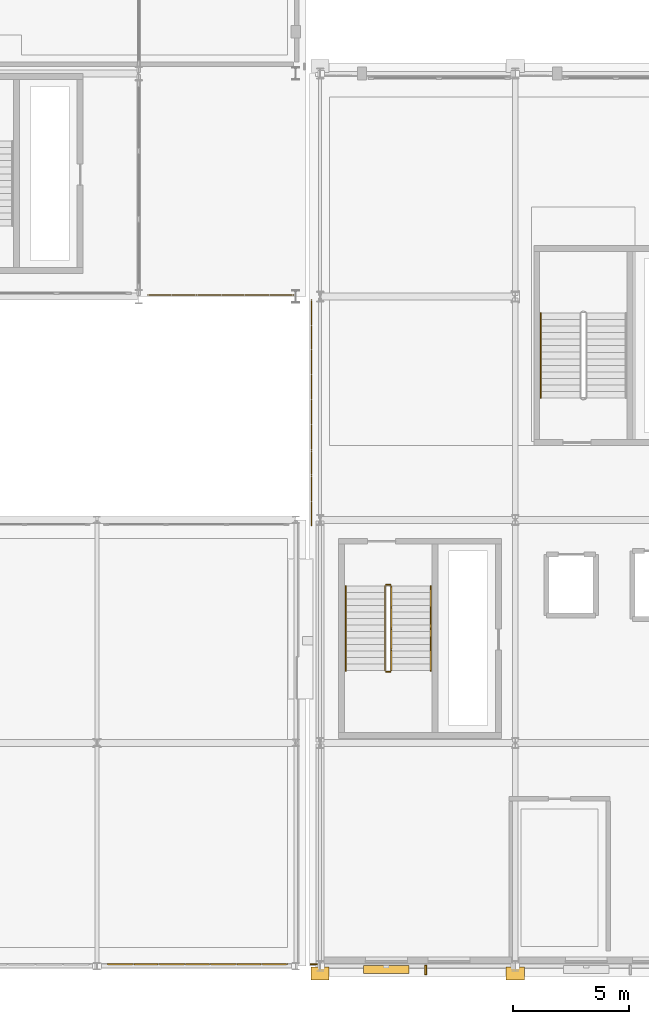
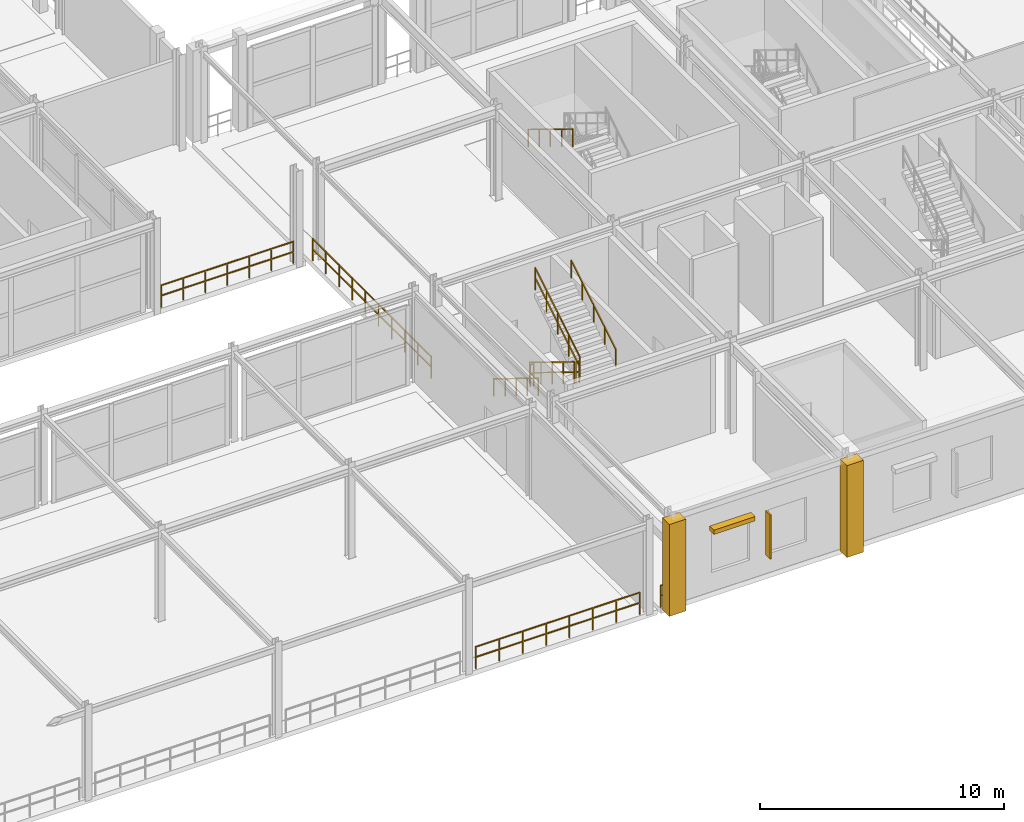
# One storey, part 98 of 125: 11 railings, 2 coverings, 2 shading devices.
"""IFC4 building model written with IfcOpenShell, lengths in metres."""

from ifc_helpers import new_model, si_unit, direction, frame, origin, origin_2d, place, context, subcontext, project, spatial, rectangle, extrude, material, layer, layer_set, type_object, element, save


model = new_model("IFC4")

# Units and contexts
model_context = context("Model", 3, precision=1e-05, world=origin(), true_north=direction((0.0, 1.0)))
body_context = subcontext(model_context, "Body", "Model", "MODEL_VIEW")
ifc_project = project(units=[si_unit("LENGTHUNIT", "METRE"), si_unit("AREAUNIT", "SQUARE_METRE"), si_unit("VOLUMEUNIT", "CUBIC_METRE"), si_unit("PLANEANGLEUNIT", "RADIAN"), si_unit("MASSUNIT", "GRAM", prefix="KILO")], contexts=[model_context])

# Site, building, storey
site_placement = place(None, origin())
site = spatial("IfcSite", under=ifc_project, at=site_placement, CompositionType="ELEMENT")
building_placement = place(site_placement, origin())
building = spatial("IfcBuilding", under=site, at=building_placement, Name="Myrtia Square Station", CompositionType="ELEMENT")
storey_placement = place(building_placement, frame((0.0, 0.0, 6.0)))
storey = spatial("IfcBuildingStorey", under=building, at=storey_placement, Name="L01", CompositionType="ELEMENT", Elevation=6.0)

# Coverings
ifc_material_1 = material(Name="Pentelic marble ashlar", Category="masonry")
ifc_layer = layer(ifc_material_1, 0.4599609375, Name="Pentelic marble ashlar")
ifc_layer_set = layer_set([ifc_layer], Name="Pentelic marble ashlar")
covering_type = type_object("IfcCoveringType", Name="COV-ARCH-ASHLAR", PredefinedType="CLADDING", material=ifc_layer_set)
for number, where, z_axis, x_axis, name in (
    (1, (117.60009765625, -0.320068359375, -0.0400390625), (0.0, 0.0, 1.0), (1.0, 0.0, 0.0), "Classical Pentelic ashlar pilaster 004"),
    (2, (126.0, -0.320068359375, -0.0400390625), (0.0, 0.0, 1.0), (1.0, 0.0, 0.0), "Classical Pentelic ashlar pilaster 012"),
):
    element("IfcCovering", number, at=place(storey_placement, frame(where, z_axis=z_axis, x_axis=x_axis)), inside=storey, type_object=covering_type, Name=name, PredefinedType="CLADDING", context=body_context, shape_type="SweptSolid", body=[
        extrude(rectangle(XDim=0.780029296875, YDim=0.56005859375, at=origin_2d()), origin(), (0.0, 0.0, 1.0), 4.590087890625),
    ])

# Railings
ifc_material_2 = material(Name="Dark bronze anodised aluminium", Category="aluminium")
railing_type_1 = type_object("IfcRailingType", Name="RL-HANDRAIL-900", PredefinedType="HANDRAIL", material=ifc_material_2)
railing_1_placement = place(storey_placement, frame((118.699951171875, 16.35009765625, 0.17138671875)))
element("IfcRailing", 3, at=railing_1_placement, inside=storey, type_object=railing_type_1, Name="L01 ST05 stair handrail 1", PredefinedType="HANDRAIL", context=body_context, shape_type="SweptSolid", body=[
    extrude(rectangle(XDim=0.048095703125, YDim=0.048095703125, at=origin_2d()), frame((0.0, -0.029541015625, 0.89404296875), z_axis=(0.0, -0.852865859571, 0.52213008492), x_axis=(1.0, 0.0, 0.0)), (0.0, 0.0, 1.0), 0.997802734375),
    extrude(rectangle(XDim=0.048095703125, YDim=0.048095703125, at=origin_2d()), frame((0.0, -0.939697265625, 1.451171875), z_axis=(0.0, -0.852865859571, 0.52213008492), x_axis=(1.0, 0.0, 0.0)), (0.0, 0.0, 1.0), 0.997802734375),
    extrude(rectangle(XDim=0.048095703125, YDim=0.048095703125, at=origin_2d()), frame((0.0, -1.849609375, 2.00830078125), z_axis=(0.0, -0.852865859571, 0.52213008492), x_axis=(1.0, 0.0, 0.0)), (0.0, 0.0, 1.0), 0.997802734375),
    extrude(rectangle(XDim=0.048095703125, YDim=0.048095703125, at=origin_2d()), frame((0.0, -2.759765625, 2.5654296875), z_axis=(0.0, -0.852865859571, 0.52213008492), x_axis=(1.0, 0.0, 0.0)), (0.0, 0.0, 1.0), 0.997802734375),
    extrude(rectangle(XDim=0.0439453125, YDim=0.0439453125, at=origin_2d()), origin(), (0.0, 0.0, 1.0), 0.89990234375),
    extrude(rectangle(XDim=0.0439453125, YDim=0.0439453125, at=origin_2d()), frame((0.0, -0.91015625, 0.55712890625)), (0.0, 0.0, 1.0), 0.89990234375),
    extrude(rectangle(XDim=0.0439453125, YDim=0.0439453125, at=origin_2d()), frame((0.0, -1.820068359375, 1.1142578125)), (0.0, 0.0, 1.0), 0.89990234375),
    extrude(rectangle(XDim=0.0439453125, YDim=0.0439453125, at=origin_2d()), frame((0.0, -2.72998046875, 1.67138671875)), (0.0, 0.0, 1.0), 0.89990234375),
    extrude(rectangle(XDim=0.0439453125, YDim=0.0439453125, at=origin_2d()), frame((0.0, -3.64013671875, 2.228515625)), (0.0, 0.0, 1.0), 0.89990234375),
])
railing_2_placement = place(storey_placement, frame((122.360107421875, 12.7099609375, 2.571533203125)))
element("IfcRailing", 4, at=railing_2_placement, inside=storey, type_object=railing_type_1, Name="L01 ST05 stair handrail 2", PredefinedType="HANDRAIL", context=body_context, shape_type="SweptSolid", body=[
    extrude(rectangle(XDim=0.048095703125, YDim=0.048095703125, at=origin_2d()), frame((0.0, 0.029541015625, 0.89404296875), z_axis=(0.0, 0.852865859571, 0.52213008492), x_axis=(-1.0, 0.0, 0.0)), (0.0, 0.0, 1.0), 0.997802734375),
    extrude(rectangle(XDim=0.048095703125, YDim=0.048095703125, at=origin_2d()), frame((0.0, 0.939697265625, 1.451171875), z_axis=(0.0, 0.852865859571, 0.52213008492), x_axis=(-1.0, 0.0, 0.0)), (0.0, 0.0, 1.0), 0.997802734375),
    extrude(rectangle(XDim=0.048095703125, YDim=0.048095703125, at=origin_2d()), frame((0.0, 1.849609375, 2.00830078125), z_axis=(0.0, 0.852865859571, 0.52213008492), x_axis=(-1.0, 0.0, 0.0)), (0.0, 0.0, 1.0), 0.997802734375),
    extrude(rectangle(XDim=0.048095703125, YDim=0.048095703125, at=origin_2d()), frame((0.0, 2.759765625, 2.5654296875), z_axis=(0.0, 0.852865859571, 0.52213008492), x_axis=(-1.0, 0.0, 0.0)), (0.0, 0.0, 1.0), 0.997802734375),
    extrude(rectangle(XDim=0.0439453125, YDim=0.0439453125, at=origin_2d()), origin(), (0.0, 0.0, 1.0), 0.89990234375),
    extrude(rectangle(XDim=0.0439453125, YDim=0.0439453125, at=origin_2d()), frame((0.0, 0.91015625, 0.55712890625)), (0.0, 0.0, 1.0), 0.89990234375),
    extrude(rectangle(XDim=0.0439453125, YDim=0.0439453125, at=origin_2d()), frame((0.0, 1.820068359375, 1.1142578125)), (0.0, 0.0, 1.0), 0.89990234375),
    extrude(rectangle(XDim=0.0439453125, YDim=0.0439453125, at=origin_2d()), frame((0.0, 2.72998046875, 1.67138671875)), (0.0, 0.0, 1.0), 0.89990234375),
    extrude(rectangle(XDim=0.0439453125, YDim=0.0439453125, at=origin_2d()), frame((0.0, 3.64013671875, 2.228515625)), (0.0, 0.0, 1.0), 0.89990234375),
])
railing_3_placement = place(storey_placement, frame((127.10009765625, 28.090087890625, 2.571533203125)))
element("IfcRailing", 5, at=railing_3_placement, inside=storey, type_object=railing_type_1, Name="L01 ST10 stair handrail 2", PredefinedType="HANDRAIL", context=body_context, shape_type="SweptSolid", body=[
    extrude(rectangle(XDim=0.048095703125, YDim=0.048095703125, at=origin_2d()), frame((0.0, -0.029541015625, 0.89404296875), z_axis=(0.0, -0.852865859571, 0.52213008492), x_axis=(1.0, 0.0, 0.0)), (0.0, 0.0, 1.0), 0.997802734375),
    extrude(rectangle(XDim=0.048095703125, YDim=0.048095703125, at=origin_2d()), frame((0.0, -0.939697265625, 1.451171875), z_axis=(0.0, -0.852865859571, 0.52213008492), x_axis=(1.0, 0.0, 0.0)), (0.0, 0.0, 1.0), 0.997802734375),
    extrude(rectangle(XDim=0.048095703125, YDim=0.048095703125, at=origin_2d()), frame((0.0, -1.849609375, 2.00830078125), z_axis=(0.0, -0.852865859571, 0.52213008492), x_axis=(1.0, 0.0, 0.0)), (0.0, 0.0, 1.0), 0.997802734375),
    extrude(rectangle(XDim=0.048095703125, YDim=0.048095703125, at=origin_2d()), frame((0.0, -2.759765625, 2.5654296875), z_axis=(0.0, -0.852865859571, 0.52213008492), x_axis=(1.0, 0.0, 0.0)), (0.0, 0.0, 1.0), 0.997802734375),
    extrude(rectangle(XDim=0.0439453125, YDim=0.0439453125, at=origin_2d()), origin(), (0.0, 0.0, 1.0), 0.89990234375),
    extrude(rectangle(XDim=0.0439453125, YDim=0.0439453125, at=origin_2d()), frame((0.0, -0.91015625, 0.55712890625)), (0.0, 0.0, 1.0), 0.89990234375),
    extrude(rectangle(XDim=0.0439453125, YDim=0.0439453125, at=origin_2d()), frame((0.0, -1.820068359375, 1.1142578125)), (0.0, 0.0, 1.0), 0.89990234375),
    extrude(rectangle(XDim=0.0439453125, YDim=0.0439453125, at=origin_2d()), frame((0.0, -2.72998046875, 1.67138671875)), (0.0, 0.0, 1.0), 0.89990234375),
    extrude(rectangle(XDim=0.0439453125, YDim=0.0439453125, at=origin_2d()), frame((0.0, -3.64013671875, 2.228515625)), (0.0, 0.0, 1.0), 0.89990234375),
])
ifc_material_3 = material(Name="Wrought iron", Category="steel")
railing_type_2 = type_object("IfcRailingType", Name="RL-INT-GUARD-1100", PredefinedType="BALUSTRADE", material=ifc_material_3)
railing_4_placement = place(storey_placement, frame((120.39990234375, 16.35009765625, 0.17138671875)))
element("IfcRailing", 6, at=railing_4_placement, inside=storey, type_object=railing_type_2, Name="L01 ST05 stair guard 1", PredefinedType="BALUSTRADE", context=body_context, shape_type="SweptSolid", body=[
    extrude(rectangle(XDim=0.048095703125, YDim=0.048095703125, at=origin_2d()), frame((0.0, -0.029541015625, 1.1142578125), z_axis=(0.0, -0.852865859571, 0.52213008492), x_axis=(1.0, 0.0, 0.0)), (0.0, 0.0, 1.0), 0.997802734375),
    extrude(rectangle(XDim=0.048095703125, YDim=0.048095703125, at=origin_2d()), frame((0.0, -0.029541015625, 0.6005859375), z_axis=(0.0, -0.852865859571, 0.52213008492), x_axis=(1.0, 0.0, 0.0)), (0.0, 0.0, 1.0), 0.997802734375),
    extrude(rectangle(XDim=0.048095703125, YDim=0.048095703125, at=origin_2d()), frame((0.0, -0.939697265625, 1.67138671875), z_axis=(0.0, -0.852865859571, 0.52213008492), x_axis=(1.0, 0.0, 0.0)), (0.0, 0.0, 1.0), 0.997802734375),
    extrude(rectangle(XDim=0.048095703125, YDim=0.048095703125, at=origin_2d()), frame((0.0, -0.939697265625, 1.15771484375), z_axis=(0.0, -0.852865859571, 0.52213008492), x_axis=(1.0, 0.0, 0.0)), (0.0, 0.0, 1.0), 0.997802734375),
    extrude(rectangle(XDim=0.048095703125, YDim=0.048095703125, at=origin_2d()), frame((0.0, -1.849609375, 2.228515625), z_axis=(0.0, -0.852865859571, 0.52213008492), x_axis=(1.0, 0.0, 0.0)), (0.0, 0.0, 1.0), 0.997802734375),
    extrude(rectangle(XDim=0.048095703125, YDim=0.048095703125, at=origin_2d()), frame((0.0, -1.849609375, 1.71484375), z_axis=(0.0, -0.852865859571, 0.52213008492), x_axis=(1.0, 0.0, 0.0)), (0.0, 0.0, 1.0), 0.997802734375),
    extrude(rectangle(XDim=0.048095703125, YDim=0.048095703125, at=origin_2d()), frame((0.0, -2.759765625, 2.78564453125), z_axis=(0.0, -0.852865859571, 0.52213008492), x_axis=(1.0, 0.0, 0.0)), (0.0, 0.0, 1.0), 0.997802734375),
    extrude(rectangle(XDim=0.048095703125, YDim=0.048095703125, at=origin_2d()), frame((0.0, -2.759765625, 2.27197265625), z_axis=(0.0, -0.852865859571, 0.52213008492), x_axis=(1.0, 0.0, 0.0)), (0.0, 0.0, 1.0), 0.997802734375),
    extrude(rectangle(XDim=0.0439453125, YDim=0.0439453125, at=origin_2d()), origin(), (0.0, 0.0, 1.0), 1.1201171875),
    extrude(rectangle(XDim=0.0439453125, YDim=0.0439453125, at=origin_2d()), frame((0.0, -0.91015625, 0.55712890625)), (0.0, 0.0, 1.0), 1.1201171875),
    extrude(rectangle(XDim=0.0439453125, YDim=0.0439453125, at=origin_2d()), frame((0.0, -1.820068359375, 1.1142578125)), (0.0, 0.0, 1.0), 1.1201171875),
    extrude(rectangle(XDim=0.0439453125, YDim=0.0439453125, at=origin_2d()), frame((0.0, -2.72998046875, 1.67138671875)), (0.0, 0.0, 1.0), 1.1201171875),
    extrude(rectangle(XDim=0.0439453125, YDim=0.0439453125, at=origin_2d()), frame((0.0, -3.64013671875, 2.228515625)), (0.0, 0.0, 1.0), 1.1201171875),
])
railing_5_placement = place(storey_placement, frame((120.449951171875, 12.659912109375, 2.39990234375)))
element("IfcRailing", 7, at=railing_5_placement, inside=storey, type_object=railing_type_2, Name="L01 ST05 stair guard 2", PredefinedType="BALUSTRADE", context=body_context, shape_type="SweptSolid", body=[
    extrude(rectangle(XDim=0.048095703125, YDim=0.048095703125, at=origin_2d()), frame((0.03466796875, 0.0, 1.09619140625), z_axis=(1.0, 0.0, 0.0), x_axis=(0.0, 1.0, 0.0)), (0.0, 0.0, 1.0), 0.0908203125),
    extrude(rectangle(XDim=0.048095703125, YDim=0.048095703125, at=origin_2d()), frame((0.03466796875, 0.0, 0.58251953125), z_axis=(1.0, 0.0, 0.0), x_axis=(0.0, 1.0, 0.0)), (0.0, 0.0, 1.0), 0.0908203125),
    extrude(rectangle(XDim=0.0439453125, YDim=0.0439453125, at=origin_2d()), origin(), (0.0, 0.0, 1.0), 1.1201171875),
    extrude(rectangle(XDim=0.0439453125, YDim=0.0439453125, at=origin_2d()), frame((0.16015625, 0.0, 0.0)), (0.0, 0.0, 1.0), 1.1201171875),
])
railing_6_placement = place(storey_placement, frame((120.659912109375, 12.7099609375, 2.571533203125)))
element("IfcRailing", 8, at=railing_6_placement, inside=storey, type_object=railing_type_2, Name="L01 ST05 stair guard 3", PredefinedType="BALUSTRADE", context=body_context, shape_type="SweptSolid", body=[
    extrude(rectangle(XDim=0.048095703125, YDim=0.048095703125, at=origin_2d()), frame((0.0, 0.029541015625, 1.1142578125), z_axis=(0.0, 0.852865859571, 0.52213008492), x_axis=(-1.0, 0.0, 0.0)), (0.0, 0.0, 1.0), 0.997802734375),
    extrude(rectangle(XDim=0.048095703125, YDim=0.048095703125, at=origin_2d()), frame((0.0, 0.029541015625, 0.6005859375), z_axis=(0.0, 0.852865859571, 0.52213008492), x_axis=(-1.0, 0.0, 0.0)), (0.0, 0.0, 1.0), 0.997802734375),
    extrude(rectangle(XDim=0.048095703125, YDim=0.048095703125, at=origin_2d()), frame((0.0, 0.939697265625, 1.67138671875), z_axis=(0.0, 0.852865859571, 0.52213008492), x_axis=(-1.0, 0.0, 0.0)), (0.0, 0.0, 1.0), 0.997802734375),
    extrude(rectangle(XDim=0.048095703125, YDim=0.048095703125, at=origin_2d()), frame((0.0, 0.939697265625, 1.15771484375), z_axis=(0.0, 0.852865859571, 0.52213008492), x_axis=(-1.0, 0.0, 0.0)), (0.0, 0.0, 1.0), 0.997802734375),
    extrude(rectangle(XDim=0.048095703125, YDim=0.048095703125, at=origin_2d()), frame((0.0, 1.849609375, 2.228515625), z_axis=(0.0, 0.852865859571, 0.52213008492), x_axis=(-1.0, 0.0, 0.0)), (0.0, 0.0, 1.0), 0.997802734375),
    extrude(rectangle(XDim=0.048095703125, YDim=0.048095703125, at=origin_2d()), frame((0.0, 1.849609375, 1.71484375), z_axis=(0.0, 0.852865859571, 0.52213008492), x_axis=(-1.0, 0.0, 0.0)), (0.0, 0.0, 1.0), 0.997802734375),
    extrude(rectangle(XDim=0.048095703125, YDim=0.048095703125, at=origin_2d()), frame((0.0, 2.759765625, 2.78564453125), z_axis=(0.0, 0.852865859571, 0.52213008492), x_axis=(-1.0, 0.0, 0.0)), (0.0, 0.0, 1.0), 0.997802734375),
    extrude(rectangle(XDim=0.048095703125, YDim=0.048095703125, at=origin_2d()), frame((0.0, 2.759765625, 2.27197265625), z_axis=(0.0, 0.852865859571, 0.52213008492), x_axis=(-1.0, 0.0, 0.0)), (0.0, 0.0, 1.0), 0.997802734375),
    extrude(rectangle(XDim=0.0439453125, YDim=0.0439453125, at=origin_2d()), origin(), (0.0, 0.0, 1.0), 1.1201171875),
    extrude(rectangle(XDim=0.0439453125, YDim=0.0439453125, at=origin_2d()), frame((0.0, 0.91015625, 0.55712890625)), (0.0, 0.0, 1.0), 1.1201171875),
    extrude(rectangle(XDim=0.0439453125, YDim=0.0439453125, at=origin_2d()), frame((0.0, 1.820068359375, 1.1142578125)), (0.0, 0.0, 1.0), 1.1201171875),
    extrude(rectangle(XDim=0.0439453125, YDim=0.0439453125, at=origin_2d()), frame((0.0, 2.72998046875, 1.67138671875)), (0.0, 0.0, 1.0), 1.1201171875),
    extrude(rectangle(XDim=0.0439453125, YDim=0.0439453125, at=origin_2d()), frame((0.0, 3.64013671875, 2.228515625)), (0.0, 0.0, 1.0), 1.1201171875),
])
railing_7_placement = place(storey_placement, frame((120.449951171875, 16.39990234375, 0.0)))
element("IfcRailing", 9, at=railing_7_placement, inside=storey, type_object=railing_type_2, Name="L01 ST05 stair guard 4", PredefinedType="BALUSTRADE", context=body_context, shape_type="SweptSolid", body=[
    extrude(rectangle(XDim=0.048095703125, YDim=0.048095703125, at=origin_2d()), frame((0.03466796875, 0.0, 1.09619140625), z_axis=(1.0, 0.0, 0.0), x_axis=(0.0, 1.0, 0.0)), (0.0, 0.0, 1.0), 0.0908203125),
    extrude(rectangle(XDim=0.048095703125, YDim=0.048095703125, at=origin_2d()), frame((0.03466796875, 0.0, 0.58251953125), z_axis=(1.0, 0.0, 0.0), x_axis=(0.0, 1.0, 0.0)), (0.0, 0.0, 1.0), 0.0908203125),
    extrude(rectangle(XDim=0.0439453125, YDim=0.0439453125, at=origin_2d()), origin(), (0.0, 0.0, 1.0), 1.1201171875),
    extrude(rectangle(XDim=0.0439453125, YDim=0.0439453125, at=origin_2d()), frame((0.16015625, 0.0, 0.0)), (0.0, 0.0, 1.0), 1.1201171875),
])
railing_8_placement = place(storey_placement, frame((110.199951171875, 28.8798828125, 0.0)))
element("IfcRailing", 10, at=railing_8_placement, inside=storey, type_object=railing_type_2, Name="Perimeter slab edge balustrade L01-009", PredefinedType="BALUSTRADE", context=body_context, shape_type="SweptSolid", body=[
    extrude(rectangle(XDim=0.048095703125, YDim=0.048095703125, at=origin_2d()), frame((0.03466796875, 0.0, 1.09619140625), z_axis=(1.0, 0.0, 0.0), x_axis=(0.0, 1.0, 0.0)), (0.0, 0.0, 1.0), 0.972412109375),
    extrude(rectangle(XDim=0.048095703125, YDim=0.048095703125, at=origin_2d()), frame((0.03466796875, 0.0, 0.58251953125), z_axis=(1.0, 0.0, 0.0), x_axis=(0.0, 1.0, 0.0)), (0.0, 0.0, 1.0), 0.972412109375),
    extrude(rectangle(XDim=0.048095703125, YDim=0.048095703125, at=origin_2d()), frame((1.076416015625, 0.0, 1.09619140625), z_axis=(1.0, 0.0, 0.0), x_axis=(0.0, 1.0, 0.0)), (0.0, 0.0, 1.0), 0.972412109375),
    extrude(rectangle(XDim=0.048095703125, YDim=0.048095703125, at=origin_2d()), frame((1.076416015625, 0.0, 0.58251953125), z_axis=(1.0, 0.0, 0.0), x_axis=(0.0, 1.0, 0.0)), (0.0, 0.0, 1.0), 0.972412109375),
    extrude(rectangle(XDim=0.048095703125, YDim=0.048095703125, at=origin_2d()), frame((2.117919921875, 0.0, 1.09619140625), z_axis=(1.0, 0.0, 0.0), x_axis=(0.0, 1.0, 0.0)), (0.0, 0.0, 1.0), 0.972412109375),
    extrude(rectangle(XDim=0.048095703125, YDim=0.048095703125, at=origin_2d()), frame((2.117919921875, 0.0, 0.58251953125), z_axis=(1.0, 0.0, 0.0), x_axis=(0.0, 1.0, 0.0)), (0.0, 0.0, 1.0), 0.972412109375),
    extrude(rectangle(XDim=0.048095703125, YDim=0.048095703125, at=origin_2d()), frame((3.15966796875, 0.0, 1.09619140625), z_axis=(1.0, 0.0, 0.0), x_axis=(0.0, 1.0, 0.0)), (0.0, 0.0, 1.0), 0.972412109375),
    extrude(rectangle(XDim=0.048095703125, YDim=0.048095703125, at=origin_2d()), frame((3.15966796875, 0.0, 0.58251953125), z_axis=(1.0, 0.0, 0.0), x_axis=(0.0, 1.0, 0.0)), (0.0, 0.0, 1.0), 0.972412109375),
    extrude(rectangle(XDim=0.048095703125, YDim=0.048095703125, at=origin_2d()), frame((4.201416015625, 0.0, 1.09619140625), z_axis=(1.0, 0.0, 0.0), x_axis=(0.0, 1.0, 0.0)), (0.0, 0.0, 1.0), 0.972412109375),
    extrude(rectangle(XDim=0.048095703125, YDim=0.048095703125, at=origin_2d()), frame((4.201416015625, 0.0, 0.58251953125), z_axis=(1.0, 0.0, 0.0), x_axis=(0.0, 1.0, 0.0)), (0.0, 0.0, 1.0), 0.972412109375),
    extrude(rectangle(XDim=0.048095703125, YDim=0.048095703125, at=origin_2d()), frame((5.242919921875, 0.0, 1.09619140625), z_axis=(1.0, 0.0, 0.0), x_axis=(0.0, 1.0, 0.0)), (0.0, 0.0, 1.0), 0.972412109375),
    extrude(rectangle(XDim=0.048095703125, YDim=0.048095703125, at=origin_2d()), frame((5.242919921875, 0.0, 0.58251953125), z_axis=(1.0, 0.0, 0.0), x_axis=(0.0, 1.0, 0.0)), (0.0, 0.0, 1.0), 0.972412109375),
    extrude(rectangle(XDim=0.0439453125, YDim=0.0439453125, at=origin_2d()), origin(), (0.0, 0.0, 1.0), 1.1201171875),
    extrude(rectangle(XDim=0.0439453125, YDim=0.0439453125, at=origin_2d()), frame((1.041748046875, 0.0, 0.0)), (0.0, 0.0, 1.0), 1.1201171875),
    extrude(rectangle(XDim=0.0439453125, YDim=0.0439453125, at=origin_2d()), frame((2.083251953125, 0.0, 0.0)), (0.0, 0.0, 1.0), 1.1201171875),
    extrude(rectangle(XDim=0.0439453125, YDim=0.0439453125, at=origin_2d()), frame((3.125, 0.0, 0.0)), (0.0, 0.0, 1.0), 1.1201171875),
    extrude(rectangle(XDim=0.0439453125, YDim=0.0439453125, at=origin_2d()), frame((4.166748046875, 0.0, 0.0)), (0.0, 0.0, 1.0), 1.1201171875),
    extrude(rectangle(XDim=0.0439453125, YDim=0.0439453125, at=origin_2d()), frame((5.208251953125, 0.0, 0.0)), (0.0, 0.0, 1.0), 1.1201171875),
    extrude(rectangle(XDim=0.0439453125, YDim=0.0439453125, at=origin_2d()), frame((6.25, 0.0, 0.0)), (0.0, 0.0, 1.0), 1.1201171875),
])
railing_9_placement = place(storey_placement, frame((117.199951171875, 0.080078125, 0.0)))
element("IfcRailing", 11, at=railing_9_placement, inside=storey, type_object=railing_type_2, Name="Perimeter slab edge balustrade L01-017", PredefinedType="BALUSTRADE", context=body_context, shape_type="SweptSolid", body=[
    extrude(rectangle(XDim=0.048095703125, YDim=0.048095703125, at=origin_2d()), frame((0.03466796875, 0.0, 1.09619140625), z_axis=(1.0, 0.0, 0.0), x_axis=(0.0, 1.0, 0.0)), (0.0, 0.0, 1.0), 0.1796875),
    extrude(rectangle(XDim=0.048095703125, YDim=0.048095703125, at=origin_2d()), frame((0.03466796875, 0.0, 0.58251953125), z_axis=(1.0, 0.0, 0.0), x_axis=(0.0, 1.0, 0.0)), (0.0, 0.0, 1.0), 0.1796875),
    extrude(rectangle(XDim=0.0439453125, YDim=0.0439453125, at=origin_2d()), origin(), (0.0, 0.0, 1.0), 1.1201171875),
    extrude(rectangle(XDim=0.0439453125, YDim=0.0439453125, at=origin_2d()), frame((0.2490234375, 0.0, 0.0)), (0.0, 0.0, 1.0), 1.1201171875),
])
railing_10_placement = place(storey_placement, frame((117.22998046875, 28.65087890625, 0.0)))
element("IfcRailing", 12, at=railing_10_placement, inside=storey, type_object=railing_type_2, Name="Perimeter slab edge balustrade L01-027", PredefinedType="BALUSTRADE", context=body_context, shape_type="SweptSolid", body=[
    extrude(rectangle(XDim=0.048095703125, YDim=0.048095703125, at=origin_2d()), frame((0.0, -0.03466796875, 1.09619140625), z_axis=(0.0, -1.0, 0.0), x_axis=(1.0, 0.0, 0.0)), (0.0, 0.0, 1.0), 1.008544921875),
    extrude(rectangle(XDim=0.048095703125, YDim=0.048095703125, at=origin_2d()), frame((0.0, -0.03466796875, 0.58251953125), z_axis=(0.0, -1.0, 0.0), x_axis=(1.0, 0.0, 0.0)), (0.0, 0.0, 1.0), 1.008544921875),
    extrude(rectangle(XDim=0.048095703125, YDim=0.048095703125, at=origin_2d()), frame((0.0, -1.1123046875, 1.09619140625), z_axis=(0.0, -1.0, 0.0), x_axis=(1.0, 0.0, 0.0)), (0.0, 0.0, 1.0), 1.008544921875),
    extrude(rectangle(XDim=0.048095703125, YDim=0.048095703125, at=origin_2d()), frame((0.0, -1.1123046875, 0.58251953125), z_axis=(0.0, -1.0, 0.0), x_axis=(1.0, 0.0, 0.0)), (0.0, 0.0, 1.0), 1.008544921875),
    extrude(rectangle(XDim=0.048095703125, YDim=0.048095703125, at=origin_2d()), frame((0.0, -2.190185546875, 1.09619140625), z_axis=(0.0, -1.0, 0.0), x_axis=(1.0, 0.0, 0.0)), (0.0, 0.0, 1.0), 1.008544921875),
    extrude(rectangle(XDim=0.048095703125, YDim=0.048095703125, at=origin_2d()), frame((0.0, -2.190185546875, 0.58251953125), z_axis=(0.0, -1.0, 0.0), x_axis=(1.0, 0.0, 0.0)), (0.0, 0.0, 1.0), 1.008544921875),
    extrude(rectangle(XDim=0.048095703125, YDim=0.048095703125, at=origin_2d()), frame((0.0, -3.26806640625, 1.09619140625), z_axis=(0.0, -1.0, 0.0), x_axis=(1.0, 0.0, 0.0)), (0.0, 0.0, 1.0), 1.008544921875),
    extrude(rectangle(XDim=0.048095703125, YDim=0.048095703125, at=origin_2d()), frame((0.0, -3.26806640625, 0.58251953125), z_axis=(0.0, -1.0, 0.0), x_axis=(1.0, 0.0, 0.0)), (0.0, 0.0, 1.0), 1.008544921875),
    extrude(rectangle(XDim=0.048095703125, YDim=0.048095703125, at=origin_2d()), frame((0.0, -4.345703125, 1.09619140625), z_axis=(0.0, -1.0, 0.0), x_axis=(1.0, 0.0, 0.0)), (0.0, 0.0, 1.0), 1.008544921875),
    extrude(rectangle(XDim=0.048095703125, YDim=0.048095703125, at=origin_2d()), frame((0.0, -4.345703125, 0.58251953125), z_axis=(0.0, -1.0, 0.0), x_axis=(1.0, 0.0, 0.0)), (0.0, 0.0, 1.0), 1.008544921875),
    extrude(rectangle(XDim=0.048095703125, YDim=0.048095703125, at=origin_2d()), frame((0.0, -5.423583984375, 1.09619140625), z_axis=(0.0, -1.0, 0.0), x_axis=(1.0, 0.0, 0.0)), (0.0, 0.0, 1.0), 1.008544921875),
    extrude(rectangle(XDim=0.048095703125, YDim=0.048095703125, at=origin_2d()), frame((0.0, -5.423583984375, 0.58251953125), z_axis=(0.0, -1.0, 0.0), x_axis=(1.0, 0.0, 0.0)), (0.0, 0.0, 1.0), 1.008544921875),
    extrude(rectangle(XDim=0.048095703125, YDim=0.048095703125, at=origin_2d()), frame((0.0, -6.501220703125, 1.09619140625), z_axis=(0.0, -1.0, 0.0), x_axis=(1.0, 0.0, 0.0)), (0.0, 0.0, 1.0), 1.008544921875),
    extrude(rectangle(XDim=0.048095703125, YDim=0.048095703125, at=origin_2d()), frame((0.0, -6.501220703125, 0.58251953125), z_axis=(0.0, -1.0, 0.0), x_axis=(1.0, 0.0, 0.0)), (0.0, 0.0, 1.0), 1.008544921875),
    extrude(rectangle(XDim=0.048095703125, YDim=0.048095703125, at=origin_2d()), frame((0.0, -7.5791015625, 1.09619140625), z_axis=(0.0, -1.0, 0.0), x_axis=(1.0, 0.0, 0.0)), (0.0, 0.0, 1.0), 1.008544921875),
    extrude(rectangle(XDim=0.048095703125, YDim=0.048095703125, at=origin_2d()), frame((0.0, -7.5791015625, 0.58251953125), z_axis=(0.0, -1.0, 0.0), x_axis=(1.0, 0.0, 0.0)), (0.0, 0.0, 1.0), 1.008544921875),
    extrude(rectangle(XDim=0.048095703125, YDim=0.048095703125, at=origin_2d()), frame((0.0, -8.65673828125, 1.09619140625), z_axis=(0.0, -1.0, 0.0), x_axis=(1.0, 0.0, 0.0)), (0.0, 0.0, 1.0), 1.008544921875),
    extrude(rectangle(XDim=0.048095703125, YDim=0.048095703125, at=origin_2d()), frame((0.0, -8.65673828125, 0.58251953125), z_axis=(0.0, -1.0, 0.0), x_axis=(1.0, 0.0, 0.0)), (0.0, 0.0, 1.0), 1.008544921875),
    extrude(rectangle(XDim=0.0439453125, YDim=0.0439453125, at=origin_2d()), origin(), (0.0, 0.0, 1.0), 1.1201171875),
    extrude(rectangle(XDim=0.0439453125, YDim=0.0439453125, at=origin_2d()), frame((0.0, -1.077880859375, 0.0)), (0.0, 0.0, 1.0), 1.1201171875),
    extrude(rectangle(XDim=0.0439453125, YDim=0.0439453125, at=origin_2d()), frame((0.0, -2.155517578125, 0.0)), (0.0, 0.0, 1.0), 1.1201171875),
    extrude(rectangle(XDim=0.0439453125, YDim=0.0439453125, at=origin_2d()), frame((0.0, -3.2333984375, 0.0)), (0.0, 0.0, 1.0), 1.1201171875),
    extrude(rectangle(XDim=0.0439453125, YDim=0.0439453125, at=origin_2d()), frame((0.0, -4.31103515625, 0.0)), (0.0, 0.0, 1.0), 1.1201171875),
    extrude(rectangle(XDim=0.0439453125, YDim=0.0439453125, at=origin_2d()), frame((0.0, -5.388916015625, 0.0)), (0.0, 0.0, 1.0), 1.1201171875),
    extrude(rectangle(XDim=0.0439453125, YDim=0.0439453125, at=origin_2d()), frame((0.0, -6.466552734375, 0.0)), (0.0, 0.0, 1.0), 1.1201171875),
    extrude(rectangle(XDim=0.0439453125, YDim=0.0439453125, at=origin_2d()), frame((0.0, -7.54443359375, 0.0)), (0.0, 0.0, 1.0), 1.1201171875),
    extrude(rectangle(XDim=0.0439453125, YDim=0.0439453125, at=origin_2d()), frame((0.0, -8.6220703125, 0.0)), (0.0, 0.0, 1.0), 1.1201171875),
    extrude(rectangle(XDim=0.0439453125, YDim=0.0439453125, at=origin_2d()), frame((0.0, -9.699951171875, 0.0)), (0.0, 0.0, 1.0), 1.1201171875),
])
railing_11_placement = place(storey_placement, frame((108.449951171875, 0.080078125, 0.0)))
element("IfcRailing", 13, at=railing_11_placement, inside=storey, type_object=railing_type_2, Name="Perimeter slab edge balustrade L01-033", PredefinedType="BALUSTRADE", context=body_context, shape_type="SweptSolid", body=[
    extrude(rectangle(XDim=0.048095703125, YDim=0.048095703125, at=origin_2d()), frame((0.03466796875, 0.0, 1.09619140625), z_axis=(1.0, 0.0, 0.0), x_axis=(0.0, 1.0, 0.0)), (0.0, 0.0, 1.0), 1.037841796875),
    extrude(rectangle(XDim=0.048095703125, YDim=0.048095703125, at=origin_2d()), frame((0.03466796875, 0.0, 0.58251953125), z_axis=(1.0, 0.0, 0.0), x_axis=(0.0, 1.0, 0.0)), (0.0, 0.0, 1.0), 1.037841796875),
    extrude(rectangle(XDim=0.048095703125, YDim=0.048095703125, at=origin_2d()), frame((1.141845703125, 0.0, 1.09619140625), z_axis=(1.0, 0.0, 0.0), x_axis=(0.0, 1.0, 0.0)), (0.0, 0.0, 1.0), 1.037841796875),
    extrude(rectangle(XDim=0.048095703125, YDim=0.048095703125, at=origin_2d()), frame((1.141845703125, 0.0, 0.58251953125), z_axis=(1.0, 0.0, 0.0), x_axis=(0.0, 1.0, 0.0)), (0.0, 0.0, 1.0), 1.037841796875),
    extrude(rectangle(XDim=0.048095703125, YDim=0.048095703125, at=origin_2d()), frame((2.2490234375, 0.0, 1.09619140625), z_axis=(1.0, 0.0, 0.0), x_axis=(0.0, 1.0, 0.0)), (0.0, 0.0, 1.0), 1.037841796875),
    extrude(rectangle(XDim=0.048095703125, YDim=0.048095703125, at=origin_2d()), frame((2.2490234375, 0.0, 0.58251953125), z_axis=(1.0, 0.0, 0.0), x_axis=(0.0, 1.0, 0.0)), (0.0, 0.0, 1.0), 1.037841796875),
    extrude(rectangle(XDim=0.048095703125, YDim=0.048095703125, at=origin_2d()), frame((3.35595703125, 0.0, 1.09619140625), z_axis=(1.0, 0.0, 0.0), x_axis=(0.0, 1.0, 0.0)), (0.0, 0.0, 1.0), 1.037841796875),
    extrude(rectangle(XDim=0.048095703125, YDim=0.048095703125, at=origin_2d()), frame((3.35595703125, 0.0, 0.58251953125), z_axis=(1.0, 0.0, 0.0), x_axis=(0.0, 1.0, 0.0)), (0.0, 0.0, 1.0), 1.037841796875),
    extrude(rectangle(XDim=0.048095703125, YDim=0.048095703125, at=origin_2d()), frame((4.463134765625, 0.0, 1.09619140625), z_axis=(1.0, 0.0, 0.0), x_axis=(0.0, 1.0, 0.0)), (0.0, 0.0, 1.0), 1.037841796875),
    extrude(rectangle(XDim=0.048095703125, YDim=0.048095703125, at=origin_2d()), frame((4.463134765625, 0.0, 0.58251953125), z_axis=(1.0, 0.0, 0.0), x_axis=(0.0, 1.0, 0.0)), (0.0, 0.0, 1.0), 1.037841796875),
    extrude(rectangle(XDim=0.048095703125, YDim=0.048095703125, at=origin_2d()), frame((5.5703125, 0.0, 1.09619140625), z_axis=(1.0, 0.0, 0.0), x_axis=(0.0, 1.0, 0.0)), (0.0, 0.0, 1.0), 1.037841796875),
    extrude(rectangle(XDim=0.048095703125, YDim=0.048095703125, at=origin_2d()), frame((5.5703125, 0.0, 0.58251953125), z_axis=(1.0, 0.0, 0.0), x_axis=(0.0, 1.0, 0.0)), (0.0, 0.0, 1.0), 1.037841796875),
    extrude(rectangle(XDim=0.048095703125, YDim=0.048095703125, at=origin_2d()), frame((6.677490234375, 0.0, 1.09619140625), z_axis=(1.0, 0.0, 0.0), x_axis=(0.0, 1.0, 0.0)), (0.0, 0.0, 1.0), 1.037841796875),
    extrude(rectangle(XDim=0.048095703125, YDim=0.048095703125, at=origin_2d()), frame((6.677490234375, 0.0, 0.58251953125), z_axis=(1.0, 0.0, 0.0), x_axis=(0.0, 1.0, 0.0)), (0.0, 0.0, 1.0), 1.037841796875),
    extrude(rectangle(XDim=0.0439453125, YDim=0.0439453125, at=origin_2d()), origin(), (0.0, 0.0, 1.0), 1.1201171875),
    extrude(rectangle(XDim=0.0439453125, YDim=0.0439453125, at=origin_2d()), frame((1.107177734375, 0.0, 0.0)), (0.0, 0.0, 1.0), 1.1201171875),
    extrude(rectangle(XDim=0.0439453125, YDim=0.0439453125, at=origin_2d()), frame((2.21435546875, 0.0, 0.0)), (0.0, 0.0, 1.0), 1.1201171875),
    extrude(rectangle(XDim=0.0439453125, YDim=0.0439453125, at=origin_2d()), frame((3.321533203125, 0.0, 0.0)), (0.0, 0.0, 1.0), 1.1201171875),
    extrude(rectangle(XDim=0.0439453125, YDim=0.0439453125, at=origin_2d()), frame((4.428466796875, 0.0, 0.0)), (0.0, 0.0, 1.0), 1.1201171875),
    extrude(rectangle(XDim=0.0439453125, YDim=0.0439453125, at=origin_2d()), frame((5.53564453125, 0.0, 0.0)), (0.0, 0.0, 1.0), 1.1201171875),
    extrude(rectangle(XDim=0.0439453125, YDim=0.0439453125, at=origin_2d()), frame((6.642822265625, 0.0, 0.0)), (0.0, 0.0, 1.0), 1.1201171875),
    extrude(rectangle(XDim=0.0439453125, YDim=0.0439453125, at=origin_2d()), frame((7.75, 0.0, 0.0)), (0.0, 0.0, 1.0), 1.1201171875),
])

# Shading devices
shading_device_type_1 = type_object("IfcShadingDeviceType", Name="SHD-FIN-BRONZE", PredefinedType="USERDEFINED", material=ifc_material_2)
shading_device_1_placement = place(storey_placement, frame((122.14794921875, -0.169921875, 0.9501953125), z_axis=(0.0, 0.0, 1.0), x_axis=(1.0, 0.0, 0.0)))
element("IfcShadingDevice", 14, at=shading_device_1_placement, inside=storey, type_object=shading_device_type_1, Name="Vertical bronze solar fin SHF-012", ObjectType="FIN", PredefinedType="USERDEFINED", context=body_context, shape_type="SweptSolid", body=[
    extrude(rectangle(XDim=0.080078125, YDim=0.389892578125, at=origin_2d()), origin(), (0.0, 0.0, 1.0), 2.199951171875),
])
shading_device_type_2 = type_object("IfcShadingDeviceType", Name="SHD-JALOUSIE-BRONZE", PredefinedType="JALOUSIE", material=ifc_material_2)
shading_device_2_placement = place(storey_placement, frame((120.451904296875, -0.14990234375, 3.08984375), z_axis=(0.0, 0.0, 1.0), x_axis=(1.0, 0.0, 0.0)))
element("IfcShadingDevice", 15, at=shading_device_2_placement, inside=storey, type_object=shading_device_type_2, Name="Mediterranean bronze solar louvre SHL-012", PredefinedType="JALOUSIE", context=body_context, shape_type="SweptSolid", body=[
    extrude(rectangle(XDim=1.9599609375, YDim=0.35009765625, at=origin_2d()), origin(), (0.0, 0.0, 1.0), 0.219970703125),
])

save(model, "model.ifc")
